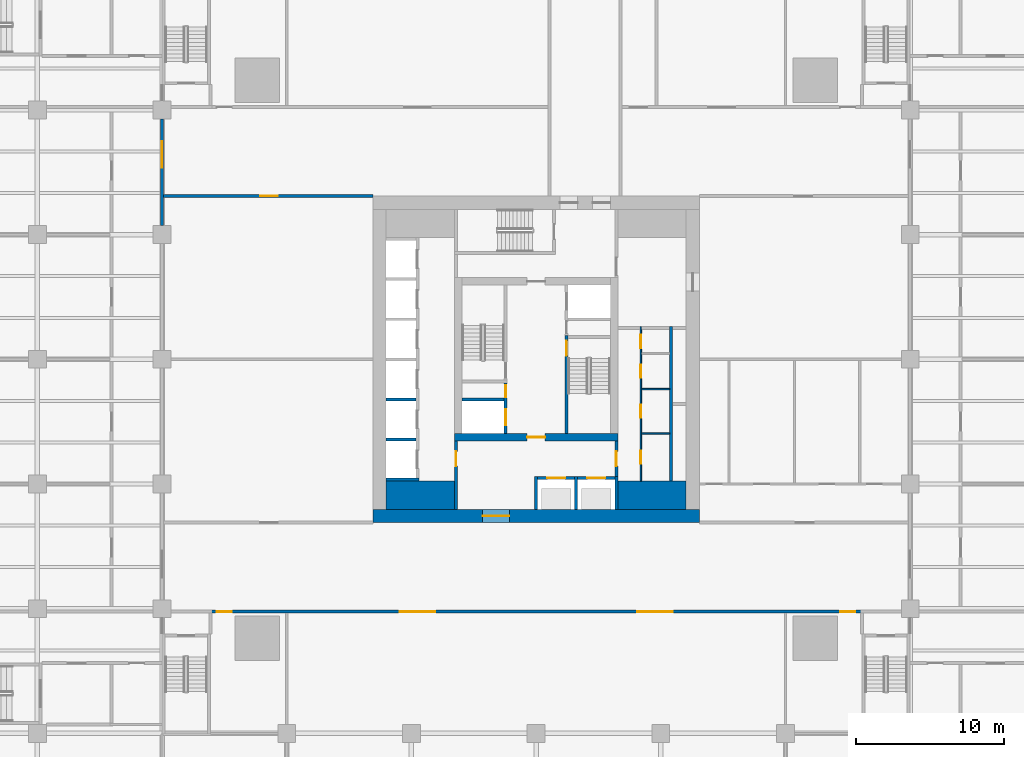
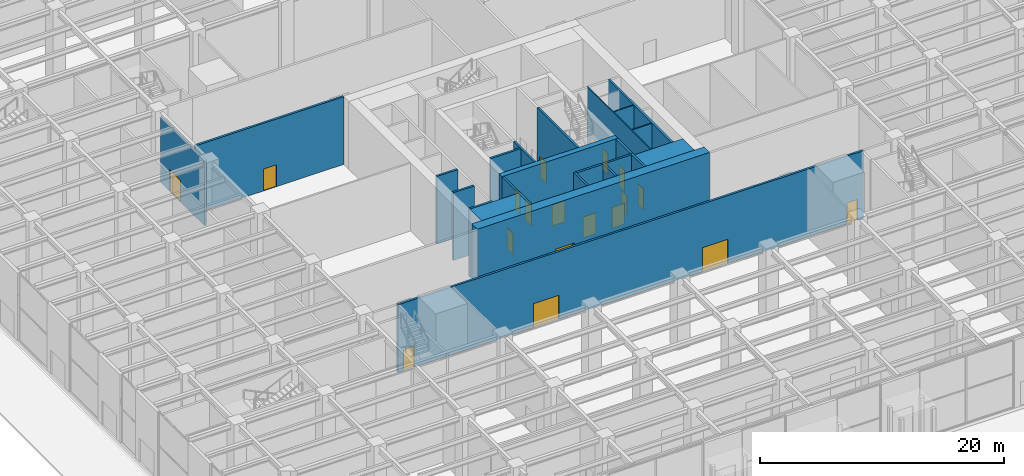
# One storey, part 30 of 43: 24 walls, 19 doors, 19 openings.
"""IFC4 building model written with IfcOpenShell, lengths in metres."""

from ifc_helpers import new_model, si_unit, direction, frame, frame_2d, origin, place, context, subcontext, project, spatial, rectangle, extrude, material, layer, layer_set, type_object, element, fill, save


model = new_model("IFC4")

# Units and contexts
model_context = context("Model", 3, precision=1e-05, world=origin(), true_north=direction((0.0, 1.0)))
body_context = subcontext(model_context, "Body", "Model", "MODEL_VIEW")
ifc_project = project(units=[si_unit("LENGTHUNIT", "METRE"), si_unit("AREAUNIT", "SQUARE_METRE"), si_unit("VOLUMEUNIT", "CUBIC_METRE"), si_unit("PLANEANGLEUNIT", "RADIAN"), si_unit("MASSUNIT", "GRAM", prefix="KILO")], contexts=[model_context])

# Site, building, storey
site_placement = place(None, origin())
site = spatial("IfcSite", under=ifc_project, at=site_placement, CompositionType="ELEMENT")
building_placement = place(site_placement, origin())
building = spatial("IfcBuilding", under=site, at=building_placement, Name="Khepri Terraces", CompositionType="ELEMENT")
storey_placement = place(building_placement, origin())
storey = spatial("IfcBuildingStorey", under=building, at=storey_placement, Name="L00", CompositionType="ELEMENT", Elevation=0.0)

# Walls
ifc_material_1 = material(Name="Concrete C80/95", Category="concrete")
ifc_layer_1 = layer(ifc_material_1, 1.89990234375, Name="Concrete C80/95", Category="concrete")
ifc_layer_set_1 = layer_set([ifc_layer_1], Name="Concrete C80/95")
wall_type_1 = type_object("IfcWallType", Name="Core wall 1900 C80/95", PredefinedType="SHEAR", material=ifc_layer_set_1)
for number, where, z_axis, x_axis, name in (
    (1, (-10.10009765625, -9.14990234375, 0.0), (0.0, 0.0, 1.0), (1.0, 0.0, 0.0), "Core wall PR01 L00"),
    (2, (5.5, -9.14990234375, 0.0), (0.0, 0.0, 1.0), (1.0, 0.0, 0.0), "Core wall PR02 L00"),
):
    element("IfcWall", number, at=place(storey_placement, frame(where, z_axis=z_axis, x_axis=x_axis)), inside=storey, type_object=wall_type_1, Name=name, PredefinedType="SHEAR", context=body_context, shape_type="SweptSolid", body=[
        extrude(rectangle(XDim=4.60009765625, YDim=1.89990234375, at=frame_2d((2.300048828125, 0.0))), origin(), (0.0, 0.0, 1.0), 6.780029296875),
    ])

# Wall, opening, door
ifc_layer_2 = layer(ifc_material_1, 0.199951171875, Name="Concrete C80/95", Category="concrete")
ifc_layer_set_2 = layer_set([ifc_layer_2], Name="Concrete C80/95")
wall_type_2 = type_object("IfcWallType", Name="Core wall 200 C80/95", PredefinedType="SHEAR", material=ifc_layer_set_2)
wall_1_placement = place(storey_placement, frame((2.050048828125, -5.0, 0.0), z_axis=(0.0, 0.0, 1.0), x_axis=(0.0, 1.0, 0.0)))
wall_1 = element("IfcWall", 3, at=wall_1_placement, inside=storey, type_object=wall_type_2, Name="Core wall ST01 L00", PredefinedType="SHEAR", context=body_context, shape_type="SweptSolid", body=[
    extrude(rectangle(XDim=6.60009765625, YDim=0.199951171875, at=frame_2d((3.300048828125, 0.0))), origin(), (0.0, 0.0, 1.0), 6.780029296875),
])
opening_1_placement = place(wall_1_placement, frame((5.25, 0.0, 0.0)))
opening_1 = element("IfcOpeningElement", 4, at=opening_1_placement, cuts=wall_1, Name="Opening L00-C12", PredefinedType="OPENING", context=body_context, shape_type="SweptSolid", body=[
    extrude(rectangle(XDim=1.0, YDim=2.10009765625, at=frame_2d((0.5, 1.050048828125))), frame((0.0, 0.10986328125, 0.0), z_axis=(0.0, -1.0, 0.0), x_axis=(1.0, 0.0, 0.0)), (0.0, 0.0, 1.0), 0.219970703125),
])
ifc_material_2 = material(Name="Painted steel", Category="steel")
door_type_1 = type_object("IfcDoorType", Name="DR-CORE-STAIR-1000", OperationType="NOTDEFINED", PredefinedType="DOOR", material=ifc_material_2)
door_1_placement = place(opening_1_placement, frame((1.0, 0.0, 0.0), z_axis=(0.0, 0.0, 1.0), x_axis=(-1.0, 0.0, 0.0)))
door_1 = element("IfcDoor", 5, at=door_1_placement, inside=storey, type_object=door_type_1, Name="Stair door L00-C12", OperationType="SINGLE_SWING_LEFT", OverallHeight=2.10009765625, OverallWidth=1.0, PredefinedType="DOOR", context=body_context, shape_type="SweptSolid", body=[
    extrude(rectangle(XDim=1.0, YDim=2.10009765625, at=frame_2d((0.5, 1.050048828125))), frame((0.0, 0.02490234375, 0.0), z_axis=(0.0, -1.0, 0.0), x_axis=(1.0, 0.0, 0.0)), (0.0, 0.0, 1.0), 0.050048828125),
])
fill(opening_1, door_1)

# Walls
for number, where, z_axis, x_axis, name in (
    (6, (0.0, -10.10009765625, 0.0), (0.0, 0.0, 1.0), (0.0, 1.0, 0.0), "Core wall SH01 L00"),
    (7, (2.699951171875, -10.10009765625, 0.0), (0.0, 0.0, 1.0), (0.0, 1.0, 0.0), "Core wall SH02 L00"),
    (8, (5.39990234375, -10.10009765625, 0.0), (0.0, 0.0, 1.0), (0.0, 1.0, 0.0), "Core wall SH03 L00"),
    (9, (-10.10009765625, -8.10009765625, 0.0), (0.0, 0.0, 1.0), (1.0, 0.0, 0.0), "Core wall SH04 L00"),
):
    element("IfcWall", number, at=place(storey_placement, frame(where, z_axis=z_axis, x_axis=x_axis)), inside=storey, type_object=wall_type_2, Name=name, PredefinedType="SHEAR", context=body_context, shape_type="SweptSolid", body=[
        extrude(rectangle(XDim=2.2001953125, YDim=0.199951171875, at=frame_2d((1.10009765625, 0.0))), origin(), (0.0, 0.0, 1.0), 6.780029296875),
    ])
wall_2_placement = place(storey_placement, frame((9.10009765625, -8.199951171875, 0.0), z_axis=(0.0, 0.0, 1.0), x_axis=(0.0, 1.0, 0.0)))
element("IfcWall", 10, at=wall_2_placement, inside=storey, type_object=wall_type_2, Name="Core wall SH05 L00", PredefinedType="SHEAR", context=body_context, shape_type="SweptSolid", body=[
    extrude(rectangle(XDim=10.39990234375, YDim=0.199951171875, at=frame_2d((5.199951171875, 0.0))), origin(), (0.0, 0.0, 1.0), 6.780029296875),
])

# Wall, opening, door
wall_3_placement = place(storey_placement, frame((0.10009765625, -8.0, 0.0), z_axis=(0.0, 0.0, 1.0), x_axis=(1.0, 0.0, 0.0)))
wall_3 = element("IfcWall", 11, at=wall_3_placement, inside=storey, type_object=wall_type_2, Name="Core wall SH06 L00", PredefinedType="SHEAR", context=body_context, shape_type="SweptSolid", body=[
    extrude(rectangle(XDim=2.5, YDim=0.199951171875, at=frame_2d((1.25, 0.0))), origin(), (0.0, 0.0, 1.0), 6.780029296875),
])
opening_2_placement = place(wall_3_placement, frame((0.64990234375, 0.0, 0.0)))
opening_2 = element("IfcOpeningElement", 12, at=opening_2_placement, cuts=wall_3, Name="Opening L00-C07", PredefinedType="OPENING", context=body_context, shape_type="SweptSolid", body=[
    extrude(rectangle(XDim=1.199951171875, YDim=2.10009765625, at=frame_2d((0.60009765625, 1.050048828125))), frame((0.0, 0.10986328125, 0.0), z_axis=(0.0, -1.0, 0.0), x_axis=(1.0, 0.0, 0.0)), (0.0, 0.0, 1.0), 0.219970703125),
])
ifc_material_3 = material(Name="Stainless steel 304", Category="steel")
door_type_2 = type_object("IfcDoorType", Name="DR-CORE-LANDING-1200", OperationType="NOTDEFINED", PredefinedType="DOOR", material=ifc_material_3)
door_2_placement = place(opening_2_placement, origin())
door_2 = element("IfcDoor", 13, at=door_2_placement, inside=storey, type_object=door_type_2, Name="Lift landing door L00-C07", OperationType="SLIDING_TO_LEFT", OverallHeight=2.10009765625, OverallWidth=1.199951171875, PredefinedType="DOOR", context=body_context, shape_type="SweptSolid", body=[
    extrude(rectangle(XDim=1.199951171875, YDim=2.10009765625, at=frame_2d((0.60009765625, 1.050048828125))), frame((0.0, 0.02490234375, 0.0), z_axis=(0.0, -1.0, 0.0), x_axis=(1.0, 0.0, 0.0)), (0.0, 0.0, 1.0), 0.050048828125),
])
fill(opening_2, door_2)

wall_4_placement = place(storey_placement, frame((2.800048828125, -8.0, 0.0), z_axis=(0.0, 0.0, 1.0), x_axis=(1.0, 0.0, 0.0)))
wall_4 = element("IfcWall", 14, at=wall_4_placement, inside=storey, type_object=wall_type_2, Name="Core wall SH07 L00", PredefinedType="SHEAR", context=body_context, shape_type="SweptSolid", body=[
    extrude(rectangle(XDim=2.5, YDim=0.199951171875, at=frame_2d((1.25, 0.0))), origin(), (0.0, 0.0, 1.0), 6.780029296875),
])
opening_3_placement = place(wall_4_placement, frame((0.64990234375, 0.0, 0.0)))
opening_3 = element("IfcOpeningElement", 15, at=opening_3_placement, cuts=wall_4, Name="Opening L00-C08", PredefinedType="OPENING", context=body_context, shape_type="SweptSolid", body=[
    extrude(rectangle(XDim=1.199951171875, YDim=2.10009765625, at=frame_2d((0.60009765625, 1.050048828125))), frame((0.0, 0.10986328125, 0.0), z_axis=(0.0, -1.0, 0.0), x_axis=(1.0, 0.0, 0.0)), (0.0, 0.0, 1.0), 0.219970703125),
])
door_3_placement = place(opening_3_placement, origin())
door_3 = element("IfcDoor", 16, at=door_3_placement, inside=storey, type_object=door_type_2, Name="Lift landing door L00-C08", OperationType="SLIDING_TO_LEFT", OverallHeight=2.10009765625, OverallWidth=1.199951171875, PredefinedType="DOOR", context=body_context, shape_type="SweptSolid", body=[
    extrude(rectangle(XDim=1.199951171875, YDim=2.10009765625, at=frame_2d((0.60009765625, 1.050048828125))), frame((0.0, 0.02490234375, 0.0), z_axis=(0.0, -1.0, 0.0), x_axis=(1.0, 0.0, 0.0)), (0.0, 0.0, 1.0), 0.050048828125),
])
fill(opening_3, door_3)

# Wall
wall_5_placement = place(storey_placement, frame((-10.10009765625, -5.39990234375, 0.0), z_axis=(0.0, 0.0, 1.0), x_axis=(1.0, 0.0, 0.0)))
element("IfcWall", 17, at=wall_5_placement, inside=storey, type_object=wall_type_2, Name="Core wall SH09 L00", PredefinedType="SHEAR", context=body_context, shape_type="SweptSolid", body=[
    extrude(rectangle(XDim=2.0, YDim=0.199951171875, at=frame_2d((1.0, 0.0))), origin(), (0.0, 0.0, 1.0), 6.780029296875),
])

# Wall, openings, doors
wall_6_placement = place(storey_placement, frame((-2.050048828125, -5.0, 0.0), z_axis=(0.0, 0.0, 1.0), x_axis=(0.0, 1.0, 0.0)))
wall_6 = element("IfcWall", 18, at=wall_6_placement, inside=storey, type_object=wall_type_2, Name="Core wall SH10 L00", PredefinedType="SHEAR", context=body_context, shape_type="SweptSolid", body=[
    extrude(rectangle(XDim=3.39990234375, YDim=0.199951171875, at=frame_2d((1.699951171875, 0.0))), origin(), (0.0, 0.0, 1.0), 6.780029296875),
])
opening_4_placement = place(wall_6_placement, frame((0.550048828125, 0.0, 0.0)))
opening_4 = element("IfcOpeningElement", 19, at=opening_4_placement, cuts=wall_6, Name="Opening L00-C10", PredefinedType="OPENING", context=body_context, shape_type="SweptSolid", body=[
    extrude(rectangle(XDim=1.10009765625, YDim=2.10009765625, at=frame_2d((0.550048828125, 1.050048828125))), frame((0.0, 0.10986328125, 0.0), z_axis=(0.0, -1.0, 0.0), x_axis=(1.0, 0.0, 0.0)), (0.0, 0.0, 1.0), 0.219970703125),
])
opening_5_placement = place(wall_6_placement, frame((2.449951171875, 0.0, 0.0)))
opening_5 = element("IfcOpeningElement", 20, at=opening_5_placement, cuts=wall_6, Name="Opening L00-C14", PredefinedType="OPENING", context=body_context, shape_type="SweptSolid", body=[
    extrude(rectangle(XDim=0.800048828125, YDim=2.10009765625, at=frame_2d((0.39990234375, 1.050048828125))), frame((0.0, 0.10986328125, 0.0), z_axis=(0.0, -1.0, 0.0), x_axis=(1.0, 0.0, 0.0)), (0.0, 0.0, 1.0), 0.219970703125),
])
door_type_3 = type_object("IfcDoorType", Name="DR-CORE-FF-LANDING-1100", OperationType="NOTDEFINED", PredefinedType="DOOR", material=ifc_material_3)
door_4_placement = place(opening_4_placement, origin())
door_4 = element("IfcDoor", 21, at=door_4_placement, inside=storey, type_object=door_type_3, Name="Firefighting lift landing door L00-C10", OperationType="SLIDING_TO_LEFT", OverallHeight=2.10009765625, OverallWidth=1.10009765625, PredefinedType="DOOR", context=body_context, shape_type="SweptSolid", body=[
    extrude(rectangle(XDim=1.10009765625, YDim=2.10009765625, at=frame_2d((0.550048828125, 1.050048828125))), frame((0.0, 0.02490234375, 0.0), z_axis=(0.0, -1.0, 0.0), x_axis=(1.0, 0.0, 0.0)), (0.0, 0.0, 1.0), 0.050048828125),
])
fill(opening_4, door_4)
door_type_4 = type_object("IfcDoorType", Name="DR-CORE-RISER-800", OperationType="NOTDEFINED", PredefinedType="DOOR", material=ifc_material_2)
door_5_placement = place(opening_5_placement, origin())
door_5 = element("IfcDoor", 22, at=door_5_placement, inside=storey, type_object=door_type_4, Name="Riser door L00-C14", OperationType="SINGLE_SWING_RIGHT", OverallHeight=2.10009765625, OverallWidth=0.800048828125, PredefinedType="DOOR", context=body_context, shape_type="SweptSolid", body=[
    extrude(rectangle(XDim=0.800048828125, YDim=2.10009765625, at=frame_2d((0.39990234375, 1.050048828125))), frame((0.0, 0.02490234375, 0.0), z_axis=(0.0, -1.0, 0.0), x_axis=(1.0, 0.0, 0.0)), (0.0, 0.0, 1.0), 0.050048828125),
])
fill(opening_5, door_5)

# Walls
wall_7_placement = place(storey_placement, frame((-10.10009765625, -2.699951171875, 0.0), z_axis=(0.0, 0.0, 1.0), x_axis=(1.0, 0.0, 0.0)))
element("IfcWall", 23, at=wall_7_placement, inside=storey, type_object=wall_type_2, Name="Core wall SH12 L00", PredefinedType="SHEAR", context=body_context, shape_type="SweptSolid", body=[
    extrude(rectangle(XDim=2.0, YDim=0.199951171875, at=frame_2d((1.0, 0.0))), origin(), (0.0, 0.0, 1.0), 6.780029296875),
])
wall_8_placement = place(storey_placement, frame((-5.0, -2.699951171875, 0.0), z_axis=(0.0, 0.0, 1.0), x_axis=(1.0, 0.0, 0.0)))
element("IfcWall", 24, at=wall_8_placement, inside=storey, type_object=wall_type_2, Name="Core wall SH13 L00", PredefinedType="SHEAR", context=body_context, shape_type="SweptSolid", body=[
    extrude(rectangle(XDim=2.85009765625, YDim=0.199951171875, at=frame_2d((1.425048828125, 0.0))), origin(), (0.0, 0.0, 1.0), 6.780029296875),
])

# Wall, opening, door
ifc_layer_3 = layer(ifc_material_1, 0.5, Name="Concrete C80/95", Category="concrete")
ifc_layer_set_3 = layer_set([ifc_layer_3], Name="Concrete C80/95")
wall_type_3 = type_object("IfcWallType", Name="Core wall 500 C80/95", PredefinedType="SHEAR", material=ifc_layer_set_3)
wall_9_placement = place(storey_placement, frame((-5.5, -5.25, 0.0), z_axis=(0.0, 0.0, 1.0), x_axis=(1.0, 0.0, 0.0)))
wall_9 = element("IfcWall", 25, at=wall_9_placement, inside=storey, type_object=wall_type_3, Name="Core wall BX01 L00", PredefinedType="SHEAR", context=body_context, shape_type="SweptSolid", body=[
    extrude(rectangle(XDim=11.0, YDim=0.5, at=frame_2d((5.5, 0.0))), origin(), (0.0, 0.0, 1.0), 6.780029296875),
])
opening_6_placement = place(wall_9_placement, frame((4.89990234375, 0.0, 0.0)))
opening_6 = element("IfcOpeningElement", 26, at=opening_6_placement, cuts=wall_9, Name="Opening L00-C16", PredefinedType="OPENING", context=body_context, shape_type="SweptSolid", body=[
    extrude(rectangle(XDim=1.199951171875, YDim=2.10009765625, at=frame_2d((0.60009765625, 1.050048828125))), frame((0.0, 0.260009765625, 0.0), z_axis=(0.0, -1.0, 0.0), x_axis=(1.0, 0.0, 0.0)), (0.0, 0.0, 1.0), 0.52001953125),
])
door_type_5 = type_object("IfcDoorType", Name="DR-CORE-FF-LOBBY-1200", OperationType="NOTDEFINED", PredefinedType="DOOR", material=ifc_material_2)
door_6_placement = place(opening_6_placement, origin())
door_6 = element("IfcDoor", 27, at=door_6_placement, inside=storey, type_object=door_type_5, Name="Firefighting lobby door L00-C16", OperationType="SINGLE_SWING_RIGHT", OverallHeight=2.10009765625, OverallWidth=1.199951171875, PredefinedType="DOOR", context=body_context, shape_type="SweptSolid", body=[
    extrude(rectangle(XDim=1.199951171875, YDim=2.10009765625, at=frame_2d((0.60009765625, 1.050048828125))), frame((0.0, 0.02490234375, 0.0), z_axis=(0.0, -1.0, 0.0), x_axis=(1.0, 0.0, 0.0)), (0.0, 0.0, 1.0), 0.050048828125),
])
fill(opening_6, door_6)

ifc_layer_4 = layer(ifc_material_1, 0.89990234375, Name="Concrete C80/95", Category="concrete")
ifc_layer_set_4 = layer_set([ifc_layer_4], Name="Concrete C80/95")
wall_type_4 = type_object("IfcWallType", Name="Core wall 900 C80/95", PredefinedType="SHEAR", material=ifc_layer_set_4)
wall_10_placement = place(storey_placement, frame((-11.0, -10.550048828125, 0.0), z_axis=(0.0, 0.0, 1.0), x_axis=(1.0, 0.0, 0.0)))
wall_10 = element("IfcWall", 28, at=wall_10_placement, inside=storey, type_object=wall_type_4, Name="Core wall OW-S L00", PredefinedType="SHEAR", context=body_context, shape_type="SweptSolid", body=[
    extrude(rectangle(XDim=22.0, YDim=0.89990234375, at=frame_2d((11.0, 0.0))), origin(), (0.0, 0.0, 1.0), 6.780029296875),
])
opening_7_placement = place(wall_10_placement, frame((7.39990234375, 0.0, 0.0)))
opening_7 = element("IfcOpeningElement", 29, at=opening_7_placement, cuts=wall_10, Name="Opening L00-C22", PredefinedType="OPENING", context=body_context, shape_type="SweptSolid", body=[
    extrude(rectangle(XDim=1.800048828125, YDim=2.199951171875, at=frame_2d((0.89990234375, 1.10009765625))), frame((0.0, 0.4599609375, 0.0), z_axis=(0.0, -1.0, 0.0), x_axis=(1.0, 0.0, 0.0)), (0.0, 0.0, 1.0), 0.919921875),
])
door_type_6 = type_object("IfcDoorType", Name="DR-CORE-ENTRANCE-1800", OperationType="NOTDEFINED", PredefinedType="DOOR", material=ifc_material_2)
door_7_placement = place(opening_7_placement, frame((1.800048828125, 0.0, 0.0), z_axis=(0.0, 0.0, 1.0), x_axis=(-1.0, 0.0, 0.0)))
door_7 = element("IfcDoor", 30, at=door_7_placement, inside=storey, type_object=door_type_6, Name="Core entrance door pair L00-C22", OperationType="DOUBLE_DOOR_SINGLE_SWING", OverallHeight=2.199951171875, OverallWidth=1.800048828125, PredefinedType="DOOR", context=body_context, shape_type="SweptSolid", body=[
    extrude(rectangle(XDim=1.800048828125, YDim=2.199951171875, at=frame_2d((0.89990234375, 1.10009765625))), frame((0.0, 0.02490234375, 0.0), z_axis=(0.0, -1.0, 0.0), x_axis=(1.0, 0.0, 0.0)), (0.0, 0.0, 1.0), 0.050048828125),
])
fill(opening_7, door_7)

# Wall, openings, doors
ifc_material_4 = material(Name="Fire-rated gypsum board partition")
ifc_layer_5 = layer(ifc_material_4, 0.10009765625, Name="Fire-rated gypsum board partition")
ifc_layer_set_5 = layer_set([ifc_layer_5], Name="Fire-rated gypsum board partition")
wall_type_5 = type_object("IfcWallType", Name="WL-CORE-PART-100", PredefinedType="PARTITIONING", material=ifc_layer_set_5)
wall_11_placement = place(storey_placement, frame((7.050048828125, -8.199951171875, 0.0), z_axis=(0.0, 0.0, 1.0), x_axis=(0.0, 1.0, 0.0)))
wall_11 = element("IfcWall", 31, at=wall_11_placement, inside=storey, type_object=wall_type_5, Name="Core partition PT02 L00", PredefinedType="PARTITIONING", context=body_context, shape_type="SweptSolid", body=[
    extrude(rectangle(XDim=10.39990234375, YDim=0.10009765625, at=frame_2d((5.199951171875, 0.0))), origin(), (0.0, 0.0, 1.0), 6.780029296875),
])
opening_8_placement = place(wall_11_placement, frame((1.14990234375, 0.0, 0.0)))
opening_8 = element("IfcOpeningElement", 32, at=opening_8_placement, cuts=wall_11, Name="Opening L00-C25", PredefinedType="OPENING", context=body_context, shape_type="SweptSolid", body=[
    extrude(rectangle(XDim=0.89990234375, YDim=2.10009765625, at=frame_2d((0.449951171875, 1.050048828125))), frame((0.0, 0.06005859375, 0.0), z_axis=(0.0, -1.0, 0.0), x_axis=(1.0, 0.0, 0.0)), (0.0, 0.0, 1.0), 0.1201171875),
])
opening_9_placement = place(wall_11_placement, frame((4.25, 0.0, 0.0)))
opening_9 = element("IfcOpeningElement", 33, at=opening_9_placement, cuts=wall_11, Name="Opening L00-C26", PredefinedType="OPENING", context=body_context, shape_type="SweptSolid", body=[
    extrude(rectangle(XDim=0.89990234375, YDim=2.10009765625, at=frame_2d((0.449951171875, 1.050048828125))), frame((0.0, 0.06005859375, 0.0), z_axis=(0.0, -1.0, 0.0), x_axis=(1.0, 0.0, 0.0)), (0.0, 0.0, 1.0), 0.1201171875),
])
opening_10_placement = place(wall_11_placement, frame((6.949951171875, 0.0, 0.0)))
opening_10 = element("IfcOpeningElement", 34, at=opening_10_placement, cuts=wall_11, Name="Opening L00-C27", PredefinedType="OPENING", context=body_context, shape_type="SweptSolid", body=[
    extrude(rectangle(XDim=0.89990234375, YDim=2.10009765625, at=frame_2d((0.449951171875, 1.050048828125))), frame((0.0, 0.06005859375, 0.0), z_axis=(0.0, -1.0, 0.0), x_axis=(1.0, 0.0, 0.0)), (0.0, 0.0, 1.0), 0.1201171875),
])
opening_11_placement = place(wall_11_placement, frame((8.949951171875, 0.0, 0.0)))
opening_11 = element("IfcOpeningElement", 35, at=opening_11_placement, cuts=wall_11, Name="Opening L00-C28", PredefinedType="OPENING", context=body_context, shape_type="SweptSolid", body=[
    extrude(rectangle(XDim=0.89990234375, YDim=2.10009765625, at=frame_2d((0.449951171875, 1.050048828125))), frame((0.0, 0.06005859375, 0.0), z_axis=(0.0, -1.0, 0.0), x_axis=(1.0, 0.0, 0.0)), (0.0, 0.0, 1.0), 0.1201171875),
])
door_type_7 = type_object("IfcDoorType", Name="DR-CORE-SERVICE-900", OperationType="NOTDEFINED", PredefinedType="DOOR", material=ifc_material_2)
door_8_placement = place(opening_8_placement, frame((0.89990234375, 0.0, 0.0), z_axis=(0.0, 0.0, 1.0), x_axis=(-1.0, 0.0, 0.0)))
door_8 = element("IfcDoor", 36, at=door_8_placement, inside=storey, type_object=door_type_7, Name="Service room door L00-C25", OperationType="SINGLE_SWING_RIGHT", OverallHeight=2.10009765625, OverallWidth=0.89990234375, PredefinedType="DOOR", context=body_context, shape_type="SweptSolid", body=[
    extrude(rectangle(XDim=0.89990234375, YDim=2.10009765625, at=frame_2d((0.449951171875, 1.050048828125))), frame((0.0, 0.02490234375, 0.0), z_axis=(0.0, -1.0, 0.0), x_axis=(1.0, 0.0, 0.0)), (0.0, 0.0, 1.0), 0.050048828125),
])
fill(opening_8, door_8)
door_9_placement = place(opening_9_placement, frame((0.89990234375, 0.0, 0.0), z_axis=(0.0, 0.0, 1.0), x_axis=(-1.0, 0.0, 0.0)))
door_9 = element("IfcDoor", 37, at=door_9_placement, inside=storey, type_object=door_type_7, Name="Service room door L00-C26", OperationType="SINGLE_SWING_RIGHT", OverallHeight=2.10009765625, OverallWidth=0.89990234375, PredefinedType="DOOR", context=body_context, shape_type="SweptSolid", body=[
    extrude(rectangle(XDim=0.89990234375, YDim=2.10009765625, at=frame_2d((0.449951171875, 1.050048828125))), frame((0.0, 0.02490234375, 0.0), z_axis=(0.0, -1.0, 0.0), x_axis=(1.0, 0.0, 0.0)), (0.0, 0.0, 1.0), 0.050048828125),
])
fill(opening_9, door_9)
door_10_placement = place(opening_10_placement, frame((0.89990234375, 0.0, 0.0), z_axis=(0.0, 0.0, 1.0), x_axis=(-1.0, 0.0, 0.0)))
door_10 = element("IfcDoor", 38, at=door_10_placement, inside=storey, type_object=door_type_7, Name="Service room door L00-C27", OperationType="SINGLE_SWING_LEFT", OverallHeight=2.10009765625, OverallWidth=0.89990234375, PredefinedType="DOOR", context=body_context, shape_type="SweptSolid", body=[
    extrude(rectangle(XDim=0.89990234375, YDim=2.10009765625, at=frame_2d((0.449951171875, 1.050048828125))), frame((0.0, 0.02490234375, 0.0), z_axis=(0.0, -1.0, 0.0), x_axis=(1.0, 0.0, 0.0)), (0.0, 0.0, 1.0), 0.050048828125),
])
fill(opening_10, door_10)
door_11_placement = place(opening_11_placement, frame((0.89990234375, 0.0, 0.0), z_axis=(0.0, 0.0, 1.0), x_axis=(-1.0, 0.0, 0.0)))
door_11 = element("IfcDoor", 39, at=door_11_placement, inside=storey, type_object=door_type_7, Name="Service room door L00-C28", OperationType="SINGLE_SWING_LEFT", OverallHeight=2.10009765625, OverallWidth=0.89990234375, PredefinedType="DOOR", context=body_context, shape_type="SweptSolid", body=[
    extrude(rectangle(XDim=0.89990234375, YDim=2.10009765625, at=frame_2d((0.449951171875, 1.050048828125))), frame((0.0, 0.02490234375, 0.0), z_axis=(0.0, -1.0, 0.0), x_axis=(1.0, 0.0, 0.0)), (0.0, 0.0, 1.0), 0.050048828125),
])
fill(opening_11, door_11)

# Walls
for number, where, z_axis, x_axis, name in (
    (40, (7.10009765625, -5.0, 0.0), (0.0, 0.0, 1.0), (1.0, 0.0, 0.0), "Core partition PT04 L00"),
    (41, (7.10009765625, -2.0, 0.0), (0.0, 0.0, 1.0), (1.0, 0.0, 0.0), "Core partition PT05 L00"),
):
    element("IfcWall", number, at=place(storey_placement, frame(where, z_axis=z_axis, x_axis=x_axis)), inside=storey, type_object=wall_type_5, Name=name, PredefinedType="PARTITIONING", context=body_context, shape_type="SweptSolid", body=[
        extrude(rectangle(XDim=1.89990234375, YDim=0.10009765625, at=frame_2d((0.949951171875, 0.0))), origin(), (0.0, 0.0, 1.0), 6.780029296875),
    ])

# Wall, opening, door
ifc_layer_6 = layer(ifc_material_4, 0.199951171875, Name="Fire-rated gypsum board partition")
ifc_layer_set_6 = layer_set([ifc_layer_6], Name="Fire-rated gypsum board partition")
wall_type_6 = type_object("IfcWallType", Name="WL-CORE-PART-200", PredefinedType="PARTITIONING", material=ifc_layer_set_6)
wall_12_placement = place(storey_placement, frame((-5.39990234375, -10.10009765625, 0.0), z_axis=(0.0, 0.0, 1.0), x_axis=(0.0, 1.0, 0.0)))
wall_12 = element("IfcWall", 42, at=wall_12_placement, inside=storey, type_object=wall_type_6, Name="Core partition PT01 L00", PredefinedType="PARTITIONING", context=body_context, shape_type="SweptSolid", body=[
    extrude(rectangle(XDim=4.60009765625, YDim=0.199951171875, at=frame_2d((2.300048828125, 0.0))), origin(), (0.0, 0.0, 1.0), 6.780029296875),
])
opening_12_placement = place(wall_12_placement, frame((2.89990234375, 0.0, 0.0)))
opening_12 = element("IfcOpeningElement", 43, at=opening_12_placement, cuts=wall_12, Name="Opening L00-C18", PredefinedType="OPENING", context=body_context, shape_type="SweptSolid", body=[
    extrude(rectangle(XDim=1.0, YDim=2.10009765625, at=frame_2d((0.5, 1.050048828125))), frame((0.0, 0.10986328125, 0.0), z_axis=(0.0, -1.0, 0.0), x_axis=(1.0, 0.0, 0.0)), (0.0, 0.0, 1.0), 0.219970703125),
])
door_type_8 = type_object("IfcDoorType", Name="DR-CORE-LOBBY-1000", OperationType="NOTDEFINED", PredefinedType="DOOR", material=ifc_material_2)
door_12_placement = place(opening_12_placement, frame((1.0, 0.0, 0.0), z_axis=(0.0, 0.0, 1.0), x_axis=(-1.0, 0.0, 0.0)))
door_12 = element("IfcDoor", 44, at=door_12_placement, inside=storey, type_object=door_type_8, Name="Lobby door L00-C18", OperationType="SINGLE_SWING_LEFT", OverallHeight=2.10009765625, OverallWidth=1.0, PredefinedType="DOOR", context=body_context, shape_type="SweptSolid", body=[
    extrude(rectangle(XDim=1.0, YDim=2.10009765625, at=frame_2d((0.5, 1.050048828125))), frame((0.0, 0.02490234375, 0.0), z_axis=(0.0, -1.0, 0.0), x_axis=(1.0, 0.0, 0.0)), (0.0, 0.0, 1.0), 0.050048828125),
])
fill(opening_12, door_12)

wall_13_placement = place(storey_placement, frame((5.39990234375, -7.89990234375, 0.0), z_axis=(0.0, 0.0, 1.0), x_axis=(0.0, 1.0, 0.0)))
wall_13 = element("IfcWall", 45, at=wall_13_placement, inside=storey, type_object=wall_type_6, Name="Core partition PT03 L00", PredefinedType="PARTITIONING", context=body_context, shape_type="SweptSolid", body=[
    extrude(rectangle(XDim=2.39990234375, YDim=0.199951171875, at=frame_2d((1.199951171875, 0.0))), origin(), (0.0, 0.0, 1.0), 6.780029296875),
])
opening_13_placement = place(wall_13_placement, frame((0.699951171875, 0.0, 0.0)))
opening_13 = element("IfcOpeningElement", 46, at=opening_13_placement, cuts=wall_13, Name="Opening L00-C19", PredefinedType="OPENING", context=body_context, shape_type="SweptSolid", body=[
    extrude(rectangle(XDim=1.0, YDim=2.10009765625, at=frame_2d((0.5, 1.050048828125))), frame((0.0, 0.10986328125, 0.0), z_axis=(0.0, -1.0, 0.0), x_axis=(1.0, 0.0, 0.0)), (0.0, 0.0, 1.0), 0.219970703125),
])
door_13_placement = place(opening_13_placement, origin())
door_13 = element("IfcDoor", 47, at=door_13_placement, inside=storey, type_object=door_type_8, Name="Lobby door L00-C19", OperationType="SINGLE_SWING_RIGHT", OverallHeight=2.10009765625, OverallWidth=1.0, PredefinedType="DOOR", context=body_context, shape_type="SweptSolid", body=[
    extrude(rectangle(XDim=1.0, YDim=2.10009765625, at=frame_2d((0.5, 1.050048828125))), frame((0.0, 0.02490234375, 0.0), z_axis=(0.0, -1.0, 0.0), x_axis=(1.0, 0.0, 0.0)), (0.0, 0.0, 1.0), 0.050048828125),
])
fill(opening_13, door_13)

# Wall, openings, doors
ifc_material_5 = material(Name="Fire-rated block wall")
ifc_layer_7 = layer(ifc_material_5, 0.199951171875, Name="Fire-rated block wall")
ifc_layer_set_7 = layer_set([ifc_layer_7], Name="Fire-rated block wall")
wall_type_7 = type_object("IfcWallType", Name="WL-POD-200-EI60", PredefinedType="PARTITIONING", material=ifc_layer_set_7)
wall_14_placement = place(storey_placement, frame((-22.050048828125, -17.0, 0.0), z_axis=(0.0, 0.0, 1.0), x_axis=(1.0, 0.0, 0.0)))
wall_14 = element("IfcWall", 48, at=wall_14_placement, inside=storey, type_object=wall_type_7, Name="Partition L00-PW023", PredefinedType="PARTITIONING", context=body_context, shape_type="SweptSolid", body=[
    extrude(rectangle(XDim=44.10009765625, YDim=0.199951171875, at=frame_2d((22.050048828125, 0.0))), origin(), (0.0, 0.0, 1.0), 6.780029296875),
])
opening_14_placement = place(wall_14_placement, frame((0.550048828125, 0.0, 0.0)))
opening_14 = element("IfcOpeningElement", 49, at=opening_14_placement, cuts=wall_14, Name="Opening L00-P17", PredefinedType="OPENING", context=body_context, shape_type="SweptSolid", body=[
    extrude(rectangle(XDim=1.0, YDim=2.10009765625, at=frame_2d((0.5, 1.050048828125))), frame((0.0, 0.10986328125, 0.0), z_axis=(0.0, -1.0, 0.0), x_axis=(1.0, 0.0, 0.0)), (0.0, 0.0, 1.0), 0.219970703125),
])
opening_15_placement = place(wall_14_placement, frame((12.85009765625, 0.0, 0.0)))
opening_15 = element("IfcOpeningElement", 50, at=opening_15_placement, cuts=wall_14, Name="Opening L00-P18", PredefinedType="OPENING", context=body_context, shape_type="SweptSolid", body=[
    extrude(rectangle(XDim=2.39990234375, YDim=2.39990234375, at=frame_2d((1.199951171875, 1.199951171875))), frame((0.0, 0.10986328125, 0.0), z_axis=(0.0, -1.0, 0.0), x_axis=(1.0, 0.0, 0.0)), (0.0, 0.0, 1.0), 0.219970703125),
])
opening_16_placement = place(wall_14_placement, frame((28.85009765625, 0.0, 0.0)))
opening_16 = element("IfcOpeningElement", 51, at=opening_16_placement, cuts=wall_14, Name="Opening L00-P19", PredefinedType="OPENING", context=body_context, shape_type="SweptSolid", body=[
    extrude(rectangle(XDim=2.39990234375, YDim=2.39990234375, at=frame_2d((1.199951171875, 1.199951171875))), frame((0.0, 0.10986328125, 0.0), z_axis=(0.0, -1.0, 0.0), x_axis=(1.0, 0.0, 0.0)), (0.0, 0.0, 1.0), 0.219970703125),
])
opening_17_placement = place(wall_14_placement, frame((42.550048828125, 0.0, 0.0)))
opening_17 = element("IfcOpeningElement", 52, at=opening_17_placement, cuts=wall_14, Name="Opening L00-P20", PredefinedType="OPENING", context=body_context, shape_type="SweptSolid", body=[
    extrude(rectangle(XDim=1.0, YDim=2.10009765625, at=frame_2d((0.5, 1.050048828125))), frame((0.0, 0.10986328125, 0.0), z_axis=(0.0, -1.0, 0.0), x_axis=(1.0, 0.0, 0.0)), (0.0, 0.0, 1.0), 0.219970703125),
])
ifc_material_6 = material(Name="Timber veneer", Category="wood")
door_type_9 = type_object("IfcDoorType", Name="DR-POD-PAIR-2400", OperationType="DOUBLE_DOOR_SINGLE_SWING", PredefinedType="DOOR", material=ifc_material_6)
door_14_placement = place(opening_15_placement, origin())
door_14 = element("IfcDoor", 53, at=door_14_placement, inside=storey, type_object=door_type_9, Name="Double door L00-P18", OperationType="DOUBLE_DOOR_SINGLE_SWING", OverallHeight=2.39990234375, OverallWidth=2.39990234375, PredefinedType="DOOR", context=body_context, shape_type="SweptSolid", body=[
    extrude(rectangle(XDim=2.39990234375, YDim=2.39990234375, at=frame_2d((1.199951171875, 1.199951171875))), frame((0.0, 0.02490234375, 0.0), z_axis=(0.0, -1.0, 0.0), x_axis=(1.0, 0.0, 0.0)), (0.0, 0.0, 1.0), 0.050048828125),
])
fill(opening_15, door_14)
door_15_placement = place(opening_16_placement, origin())
door_15 = element("IfcDoor", 54, at=door_15_placement, inside=storey, type_object=door_type_9, Name="Double door L00-P19", OperationType="DOUBLE_DOOR_SINGLE_SWING", OverallHeight=2.39990234375, OverallWidth=2.39990234375, PredefinedType="DOOR", context=body_context, shape_type="SweptSolid", body=[
    extrude(rectangle(XDim=2.39990234375, YDim=2.39990234375, at=frame_2d((1.199951171875, 1.199951171875))), frame((0.0, 0.02490234375, 0.0), z_axis=(0.0, -1.0, 0.0), x_axis=(1.0, 0.0, 0.0)), (0.0, 0.0, 1.0), 0.050048828125),
])
fill(opening_16, door_15)
door_type_10 = type_object("IfcDoorType", Name="DR-POD-SINGLE-1000", OperationType="NOTDEFINED", PredefinedType="DOOR", material=ifc_material_6)
door_16_placement = place(opening_14_placement, origin())
door_16 = element("IfcDoor", 55, at=door_16_placement, inside=storey, type_object=door_type_10, Name="Door L00-P17", OperationType="SINGLE_SWING_RIGHT", OverallHeight=2.10009765625, OverallWidth=1.0, PredefinedType="DOOR", context=body_context, shape_type="SweptSolid", body=[
    extrude(rectangle(XDim=1.0, YDim=2.10009765625, at=frame_2d((0.5, 1.050048828125))), frame((0.0, 0.02490234375, 0.0), z_axis=(0.0, -1.0, 0.0), x_axis=(1.0, 0.0, 0.0)), (0.0, 0.0, 1.0), 0.050048828125),
])
fill(opening_14, door_16)
door_17_placement = place(opening_17_placement, origin())
door_17 = element("IfcDoor", 56, at=door_17_placement, inside=storey, type_object=door_type_10, Name="Door L00-P20", OperationType="SINGLE_SWING_LEFT", OverallHeight=2.10009765625, OverallWidth=1.0, PredefinedType="DOOR", context=body_context, shape_type="SweptSolid", body=[
    extrude(rectangle(XDim=1.0, YDim=2.10009765625, at=frame_2d((0.5, 1.050048828125))), frame((0.0, 0.02490234375, 0.0), z_axis=(0.0, -1.0, 0.0), x_axis=(1.0, 0.0, 0.0)), (0.0, 0.0, 1.0), 0.050048828125),
])
fill(opening_17, door_17)

# Wall, opening, door
wall_15_placement = place(storey_placement, frame((-25.10009765625, 11.0, 0.0), z_axis=(0.0, 0.0, 1.0), x_axis=(1.0, 0.0, 0.0)))
wall_15 = element("IfcWall", 57, at=wall_15_placement, inside=storey, type_object=wall_type_7, Name="Partition L00-PW051", PredefinedType="PARTITIONING", context=body_context, shape_type="SweptSolid", body=[
    extrude(rectangle(XDim=14.10009765625, YDim=0.199951171875, at=frame_2d((7.050048828125, 0.0))), origin(), (0.0, 0.0, 1.0), 6.780029296875),
])
opening_18_placement = place(wall_15_placement, frame((6.5, 0.0, 0.0)))
opening_18 = element("IfcOpeningElement", 58, at=opening_18_placement, cuts=wall_15, Name="Opening L00-P35", PredefinedType="OPENING", context=body_context, shape_type="SweptSolid", body=[
    extrude(rectangle(XDim=1.199951171875, YDim=2.199951171875, at=frame_2d((0.60009765625, 1.10009765625))), frame((0.0, 0.10986328125, 0.0), z_axis=(0.0, -1.0, 0.0), x_axis=(1.0, 0.0, 0.0)), (0.0, 0.0, 1.0), 0.219970703125),
])
door_type_11 = type_object("IfcDoorType", Name="DR-POD-SINGLE-1200", OperationType="NOTDEFINED", PredefinedType="DOOR", material=ifc_material_6)
door_18_placement = place(opening_18_placement, origin())
door_18 = element("IfcDoor", 59, at=door_18_placement, inside=storey, type_object=door_type_11, Name="Door L00-P35", OperationType="SINGLE_SWING_LEFT", OverallHeight=2.199951171875, OverallWidth=1.199951171875, PredefinedType="DOOR", context=body_context, shape_type="SweptSolid", body=[
    extrude(rectangle(XDim=1.199951171875, YDim=2.199951171875, at=frame_2d((0.60009765625, 1.10009765625))), frame((0.0, 0.02490234375, 0.0), z_axis=(0.0, -1.0, 0.0), x_axis=(1.0, 0.0, 0.0)), (0.0, 0.0, 1.0), 0.050048828125),
])
fill(opening_18, door_18)

wall_16_placement = place(storey_placement, frame((-25.199951171875, 9.0, 0.0), z_axis=(0.0, 0.0, 1.0), x_axis=(0.0, 1.0, 0.0)))
wall_16 = element("IfcWall", 60, at=wall_16_placement, inside=storey, type_object=wall_type_7, Name="Partition L00-PW101", PredefinedType="PARTITIONING", context=body_context, shape_type="SweptSolid", body=[
    extrude(rectangle(XDim=7.199951171875, YDim=0.199951171875, at=frame_2d((3.60009765625, 0.0))), origin(), (0.0, 0.0, 1.0), 6.47998046875),
])
opening_19_placement = place(wall_16_placement, frame((3.89990234375, 0.0, 0.0)))
opening_19 = element("IfcOpeningElement", 61, at=opening_19_placement, cuts=wall_16, Name="Opening L00-P39", PredefinedType="OPENING", context=body_context, shape_type="SweptSolid", body=[
    extrude(rectangle(XDim=1.800048828125, YDim=2.199951171875, at=frame_2d((0.89990234375, 1.10009765625))), frame((0.0, 0.10986328125, 0.0), z_axis=(0.0, -1.0, 0.0), x_axis=(1.0, 0.0, 0.0)), (0.0, 0.0, 1.0), 0.219970703125),
])
door_type_12 = type_object("IfcDoorType", Name="DR-POD-FIRE-PAIR-1800", OperationType="DOUBLE_DOOR_SINGLE_SWING", PredefinedType="DOOR", material=ifc_material_2)
door_19_placement = place(opening_19_placement, origin())
door_19 = element("IfcDoor", 62, at=door_19_placement, inside=storey, type_object=door_type_12, Name="Fire door pair L00-P39", OperationType="DOUBLE_DOOR_SINGLE_SWING", OverallHeight=2.199951171875, OverallWidth=1.800048828125, PredefinedType="DOOR", context=body_context, shape_type="SweptSolid", body=[
    extrude(rectangle(XDim=1.800048828125, YDim=2.199951171875, at=frame_2d((0.89990234375, 1.10009765625))), frame((0.0, 0.02490234375, 0.0), z_axis=(0.0, -1.0, 0.0), x_axis=(1.0, 0.0, 0.0)), (0.0, 0.0, 1.0), 0.050048828125),
])
fill(opening_19, door_19)

save(model, "model.ifc")
